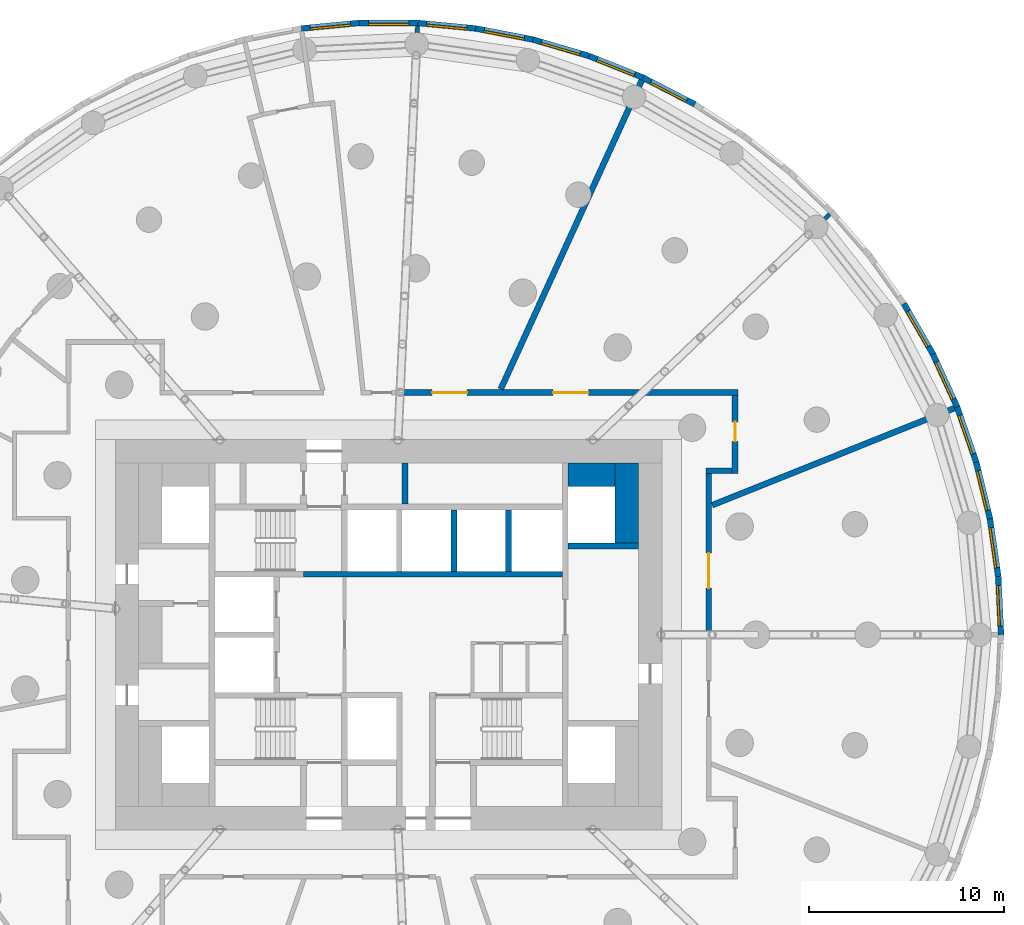
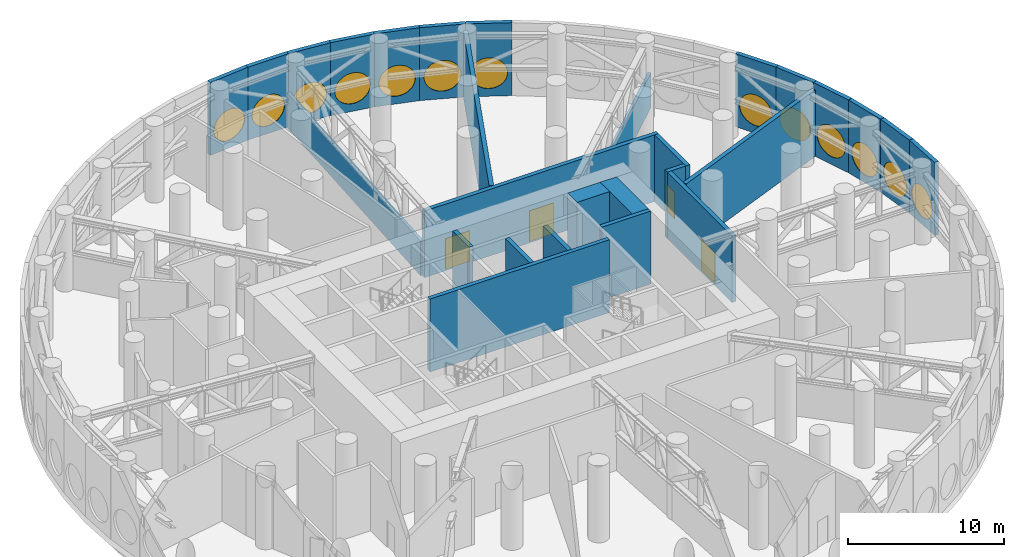
# One storey, part 14 of 17: 28 walls, 13 windows, 4 doors, 17 openings.
"""IFC4 building model written with IfcOpenShell, lengths in metres."""

from ifc_helpers import new_model, si_unit, direction, frame, frame_2d, origin, origin_2d, place, context, subcontext, project, spatial, rectangle, circle, extrude, material, layer, layer_set, type_object, element, fill, save


model = new_model("IFC4")

# Units and contexts
model_context = context("Model", 3, precision=1e-05, world=origin(), true_north=direction((0.0, 1.0)))
body_context = subcontext(model_context, "Body", "Model", "MODEL_VIEW")
ifc_project = project(units=[si_unit("LENGTHUNIT", "METRE"), si_unit("AREAUNIT", "SQUARE_METRE"), si_unit("VOLUMEUNIT", "CUBIC_METRE"), si_unit("PLANEANGLEUNIT", "RADIAN"), si_unit("MASSUNIT", "GRAM", prefix="KILO")], contexts=[model_context])

# Site, building, storey
site_placement = place(None, origin())
site = spatial("IfcSite", under=ifc_project, at=site_placement, CompositionType="ELEMENT")
building_placement = place(site_placement, origin())
building = spatial("IfcBuilding", under=site, at=building_placement, Name="Tracery Tower", CompositionType="ELEMENT")
storey_placement = place(building_placement, frame((0.0, 0.0, 120.0)))
storey = spatial("IfcBuildingStorey", under=building, at=storey_placement, Name="L30 Plant", CompositionType="ELEMENT", Elevation=120.0)

# Walls
ifc_material_1 = material(Name="Concrete C60/75", Category="concrete")
ifc_layer_1 = layer(ifc_material_1, 1.199951171875)
ifc_layer_set_1 = layer_set([ifc_layer_1], Name="Core strip wall 1200 C60")
wall_type_1 = type_object("IfcWallType", Name="Core strip wall 1200 C60", PredefinedType="SOLIDWALL", material=ifc_layer_set_1)
wall_1_placement = place(storey_placement, frame((12.199951171875, 4.699951171875, 0.0), z_axis=(0.0, 0.0, 1.0), x_axis=(0.0, 1.0, 0.0)))
element("IfcWall", 1, at=wall_1_placement, inside=storey, type_object=wall_type_1, Name="L30 Plant wing strip +1 4.55", PredefinedType="SOLIDWALL", context=body_context, shape_type="SweptSolid", body=[
    extrude(rectangle(XDim=4.10009765625, YDim=1.199951171875, at=frame_2d((2.050048828125, 0.0))), origin(), (0.0, 0.0, 1.0), 5.699951171875),
])
wall_2_placement = place(storey_placement, frame((9.199951171875, 8.199951171875, 0.0), z_axis=(0.0, 0.0, 1.0), x_axis=(1.0, 0.0, 0.0)))
element("IfcWall", 2, at=wall_2_placement, inside=storey, type_object=wall_type_1, Name="L30 Plant wing corner +1 +8.2", PredefinedType="SOLIDWALL", context=body_context, shape_type="SweptSolid", body=[
    extrude(rectangle(XDim=2.400146484375, YDim=1.199951171875, at=frame_2d((1.2001953125, 0.0))), origin(), (0.0, 0.0, 1.0), 5.699951171875),
])

# Wall, opening, window
ifc_material_2 = material(Name="Precast concrete C50/60", Category="concrete")
ifc_layer_2 = layer(ifc_material_2, 0.300048828125)
ifc_layer_set_2 = layer_set([ifc_layer_2], Name="Plant louvre panel 3000 x 5700")
wall_type_2 = type_object("IfcWallType", Name="Plant louvre panel 3000 x 5700", PredefinedType="SOLIDWALL", material=ifc_layer_set_2)
wall_3_placement = place(storey_placement, frame((31.37451171875, 0.0, 0.0), z_axis=(0.0, 0.0, 1.0), x_axis=(-0.047588458579, 0.998867027492, 0.0)))
wall_3 = element("IfcWall", 3, at=wall_3_placement, inside=storey, type_object=wall_type_2, Name="Plant louvre panel 1 at L30 Plant", PredefinedType="SOLIDWALL", context=body_context, shape_type="SweptSolid", body=[
    extrude(rectangle(XDim=2.98583984375, YDim=0.300048828125, at=frame_2d((1.492919921875, 0.0))), origin(), (0.0, 0.0, 1.0), 5.699951171875),
])
opening_1_placement = place(wall_3_placement, frame((1.492919921875, 0.0, 1.800048828125)))
opening_1 = element("IfcOpeningElement", 4, at=opening_1_placement, cuts=wall_3, Name="Opening LV1", PredefinedType="OPENING", context=body_context, shape_type="SweptSolid", body=[
    extrude(circle(Radius=1.199951171875, at=origin_2d()), frame((0.0, 0.159912109375, 0.0), z_axis=(0.0, -1.0, 0.0), x_axis=(1.0, 0.0, 0.0)), (0.0, 0.0, 1.0), 0.320068359375),
])
ifc_material_3 = material(Name="Aluminium louvre, bronze anodised", Category="aluminium")
window_type = type_object("IfcWindowType", Name="Louvred oculus 2400, sill 600", PartitioningType="SINGLE_PANEL", PredefinedType="WINDOW", material=ifc_material_3)
window_1_placement = place(opening_1_placement, origin())
window_1 = element("IfcWindow", 5, at=window_1_placement, inside=storey, type_object=window_type, Name="Louvred oculus 1 at L30 Plant", OverallHeight=2.39990234375, OverallWidth=2.39990234375, PartitioningType="SINGLE_PANEL", PredefinedType="WINDOW", context=body_context, shape_type="SweptSolid", body=[
    extrude(circle(Radius=1.199951171875, at=origin_2d()), frame((0.0, 0.1201171875, 0.0), z_axis=(0.0, -1.0, 0.0), x_axis=(1.0, 0.0, 0.0)), (0.0, 0.0, 1.0), 0.10009765625),
])
fill(opening_1, window_1)

wall_4_placement = place(storey_placement, frame((31.232421875, 2.982421875, 0.0), z_axis=(0.0, 0.0, 1.0), x_axis=(-0.142360001917, 0.989814947278, 0.0)))
wall_4 = element("IfcWall", 6, at=wall_4_placement, inside=storey, type_object=wall_type_2, Name="Plant louvre panel 2 at L30 Plant", PredefinedType="SOLIDWALL", context=body_context, shape_type="SweptSolid", body=[
    extrude(rectangle(XDim=2.98583984375, YDim=0.300048828125, at=frame_2d((1.492919921875, 0.0))), origin(), (0.0, 0.0, 1.0), 5.699951171875),
])
opening_2_placement = place(wall_4_placement, frame((1.492919921875, 0.0, 1.800048828125)))
opening_2 = element("IfcOpeningElement", 7, at=opening_2_placement, cuts=wall_4, Name="Opening LV1", PredefinedType="OPENING", context=body_context, shape_type="SweptSolid", body=[
    extrude(circle(Radius=1.199951171875, at=origin_2d()), frame((0.0, 0.159912109375, 0.0), z_axis=(0.0, -1.0, 0.0), x_axis=(1.0, 0.0, 0.0)), (0.0, 0.0, 1.0), 0.320068359375),
])
window_2_placement = place(opening_2_placement, origin())
window_2 = element("IfcWindow", 8, at=window_2_placement, inside=storey, type_object=window_type, Name="Louvred oculus 2 at L30 Plant", OverallHeight=2.39990234375, OverallWidth=2.39990234375, PartitioningType="SINGLE_PANEL", PredefinedType="WINDOW", context=body_context, shape_type="SweptSolid", body=[
    extrude(circle(Radius=1.199951171875, at=origin_2d()), frame((0.0, 0.1201171875, 0.0), z_axis=(0.0, -1.0, 0.0), x_axis=(1.0, 0.0, 0.0)), (0.0, 0.0, 1.0), 0.10009765625),
])
fill(opening_2, window_2)

wall_5_placement = place(storey_placement, frame((30.807373046875, 5.937744140625, 0.0), z_axis=(0.0, 0.0, 1.0), x_axis=(-0.235756834479, 0.971812078026, 0.0)))
wall_5 = element("IfcWall", 9, at=wall_5_placement, inside=storey, type_object=wall_type_2, Name="Plant louvre panel 3 at L30 Plant", PredefinedType="SOLIDWALL", context=body_context, shape_type="SweptSolid", body=[
    extrude(rectangle(XDim=2.985595703125, YDim=0.300048828125, at=frame_2d((1.49267578125, 0.0))), origin(), (0.0, 0.0, 1.0), 5.699951171875),
])
opening_3_placement = place(wall_5_placement, frame((1.492919921875, 0.0, 1.800048828125)))
opening_3 = element("IfcOpeningElement", 10, at=opening_3_placement, cuts=wall_5, Name="Opening LV1", PredefinedType="OPENING", context=body_context, shape_type="SweptSolid", body=[
    extrude(circle(Radius=1.199951171875, at=origin_2d()), frame((0.0, 0.159912109375, 0.0), z_axis=(0.0, -1.0, 0.0), x_axis=(1.0, 0.0, 0.0)), (0.0, 0.0, 1.0), 0.320068359375),
])
window_3_placement = place(opening_3_placement, origin())
window_3 = element("IfcWindow", 11, at=window_3_placement, inside=storey, type_object=window_type, Name="Louvred oculus 3 at L30 Plant", OverallHeight=2.39990234375, OverallWidth=2.39990234375, PartitioningType="SINGLE_PANEL", PredefinedType="WINDOW", context=body_context, shape_type="SweptSolid", body=[
    extrude(circle(Radius=1.199951171875, at=origin_2d()), frame((0.0, 0.1201171875, 0.0), z_axis=(0.0, -1.0, 0.0), x_axis=(1.0, 0.0, 0.0)), (0.0, 0.0, 1.0), 0.10009765625),
])
fill(opening_3, window_3)

wall_6_placement = place(storey_placement, frame((30.103515625, 8.839111328125, 0.0), z_axis=(0.0, 0.0, 1.0), x_axis=(-0.327074054052, 0.944998710669, 0.0)))
wall_6 = element("IfcWall", 12, at=wall_6_placement, inside=storey, type_object=wall_type_2, Name="Plant louvre panel 4 at L30 Plant", PredefinedType="SOLIDWALL", context=body_context, shape_type="SweptSolid", body=[
    extrude(rectangle(XDim=2.98583984375, YDim=0.300048828125, at=frame_2d((1.492919921875, 0.0))), origin(), (0.0, 0.0, 1.0), 5.699951171875),
])
opening_4_placement = place(wall_6_placement, frame((1.492919921875, 0.0, 1.800048828125)))
opening_4 = element("IfcOpeningElement", 13, at=opening_4_placement, cuts=wall_6, Name="Opening LV1", PredefinedType="OPENING", context=body_context, shape_type="SweptSolid", body=[
    extrude(circle(Radius=1.199951171875, at=origin_2d()), frame((0.0, 0.159912109375, 0.0), z_axis=(0.0, -1.0, 0.0), x_axis=(1.0, 0.0, 0.0)), (0.0, 0.0, 1.0), 0.320068359375),
])
window_4_placement = place(opening_4_placement, origin())
window_4 = element("IfcWindow", 14, at=window_4_placement, inside=storey, type_object=window_type, Name="Louvred oculus 4 at L30 Plant", OverallHeight=2.39990234375, OverallWidth=2.39990234375, PartitioningType="SINGLE_PANEL", PredefinedType="WINDOW", context=body_context, shape_type="SweptSolid", body=[
    extrude(circle(Radius=1.199951171875, at=origin_2d()), frame((0.0, 0.1201171875, 0.0), z_axis=(0.0, -1.0, 0.0), x_axis=(1.0, 0.0, 0.0)), (0.0, 0.0, 1.0), 0.10009765625),
])
fill(opening_4, window_4)

wall_7_placement = place(storey_placement, frame((29.126953125, 11.66064453125, 0.0), z_axis=(0.0, 0.0, 1.0), x_axis=(-0.415373250944, 0.909651066289, 0.0)))
wall_7 = element("IfcWall", 15, at=wall_7_placement, inside=storey, type_object=wall_type_2, Name="Plant louvre panel 5 at L30 Plant", PredefinedType="SOLIDWALL", context=body_context, shape_type="SweptSolid", body=[
    extrude(rectangle(XDim=2.98583984375, YDim=0.300048828125, at=frame_2d((1.492919921875, 0.0))), origin(), (0.0, 0.0, 1.0), 5.699951171875),
])
opening_5_placement = place(wall_7_placement, frame((1.492919921875, 0.0, 1.800048828125)))
opening_5 = element("IfcOpeningElement", 16, at=opening_5_placement, cuts=wall_7, Name="Opening LV1", PredefinedType="OPENING", context=body_context, shape_type="SweptSolid", body=[
    extrude(circle(Radius=1.199951171875, at=origin_2d()), frame((0.0, 0.159912109375, 0.0), z_axis=(0.0, -1.0, 0.0), x_axis=(1.0, 0.0, 0.0)), (0.0, 0.0, 1.0), 0.320068359375),
])
window_5_placement = place(opening_5_placement, origin())
window_5 = element("IfcWindow", 17, at=window_5_placement, inside=storey, type_object=window_type, Name="Louvred oculus 5 at L30 Plant", OverallHeight=2.39990234375, OverallWidth=2.39990234375, PartitioningType="SINGLE_PANEL", PredefinedType="WINDOW", context=body_context, shape_type="SweptSolid", body=[
    extrude(circle(Radius=1.199951171875, at=origin_2d()), frame((0.0, 0.1201171875, 0.0), z_axis=(0.0, -1.0, 0.0), x_axis=(1.0, 0.0, 0.0)), (0.0, 0.0, 1.0), 0.10009765625),
])
fill(opening_5, window_5)

wall_8_placement = place(storey_placement, frame((27.88671875, 14.376708984375, 0.0), z_axis=(0.0, 0.0, 1.0), x_axis=(-0.500017373705, 0.866015372839, 0.0)))
wall_8 = element("IfcWall", 18, at=wall_8_placement, inside=storey, type_object=wall_type_2, Name="Plant louvre panel 6 at L30 Plant", PredefinedType="SOLIDWALL", context=body_context, shape_type="SweptSolid", body=[
    extrude(rectangle(XDim=2.98583984375, YDim=0.300048828125, at=frame_2d((1.492919921875, 0.0))), origin(), (0.0, 0.0, 1.0), 5.699951171875),
])
opening_6_placement = place(wall_8_placement, frame((1.492919921875, 0.0, 1.800048828125)))
opening_6 = element("IfcOpeningElement", 19, at=opening_6_placement, cuts=wall_8, Name="Opening LV1", PredefinedType="OPENING", context=body_context, shape_type="SweptSolid", body=[
    extrude(circle(Radius=1.199951171875, at=origin_2d()), frame((0.0, 0.159912109375, 0.0), z_axis=(0.0, -1.0, 0.0), x_axis=(1.0, 0.0, 0.0)), (0.0, 0.0, 1.0), 0.320068359375),
])
window_6_placement = place(opening_6_placement, origin())
window_6 = element("IfcWindow", 20, at=window_6_placement, inside=storey, type_object=window_type, Name="Louvred oculus 6 at L30 Plant", OverallHeight=2.39990234375, OverallWidth=2.39990234375, PartitioningType="SINGLE_PANEL", PredefinedType="WINDOW", context=body_context, shape_type="SweptSolid", body=[
    extrude(circle(Radius=1.199951171875, at=origin_2d()), frame((0.0, 0.1201171875, 0.0), z_axis=(0.0, -1.0, 0.0), x_axis=(1.0, 0.0, 0.0)), (0.0, 0.0, 1.0), 0.10009765625),
])
fill(opening_6, window_6)

wall_9_placement = place(storey_placement, frame((15.687255859375, 27.171142578125, 0.0), z_axis=(0.0, 0.0, 1.0), x_axis=(-0.888831268481, 0.458234630043, 0.0)))
wall_9 = element("IfcWall", 21, at=wall_9_placement, inside=storey, type_object=wall_type_2, Name="Plant louvre panel 12 at L30 Plant", PredefinedType="SOLIDWALL", context=body_context, shape_type="SweptSolid", body=[
    extrude(rectangle(XDim=2.98583984375, YDim=0.300048828125, at=frame_2d((1.492919921875, 0.0))), origin(), (0.0, 0.0, 1.0), 5.699951171875),
])
opening_7_placement = place(wall_9_placement, frame((1.492919921875, 0.0, 1.800048828125)))
opening_7 = element("IfcOpeningElement", 22, at=opening_7_placement, cuts=wall_9, Name="Opening LV1", PredefinedType="OPENING", context=body_context, shape_type="SweptSolid", body=[
    extrude(circle(Radius=1.199951171875, at=origin_2d()), frame((0.0, 0.159912109375, 0.0), z_axis=(0.0, -1.0, 0.0), x_axis=(1.0, 0.0, 0.0)), (0.0, 0.0, 1.0), 0.320068359375),
])
window_7_placement = place(opening_7_placement, origin())
window_7 = element("IfcWindow", 23, at=window_7_placement, inside=storey, type_object=window_type, Name="Louvred oculus 12 at L30 Plant", OverallHeight=2.39990234375, OverallWidth=2.39990234375, PartitioningType="SINGLE_PANEL", PredefinedType="WINDOW", context=body_context, shape_type="SweptSolid", body=[
    extrude(circle(Radius=1.199951171875, at=origin_2d()), frame((0.0, 0.1201171875, 0.0), z_axis=(0.0, -1.0, 0.0), x_axis=(1.0, 0.0, 0.0)), (0.0, 0.0, 1.0), 0.10009765625),
])
fill(opening_7, window_7)

wall_10_placement = place(storey_placement, frame((13.033447265625, 28.539306640625, 0.0), z_axis=(0.0, 0.0, 1.0), x_axis=(-0.928380795373, 0.371630325434, 0.0)))
wall_10 = element("IfcWall", 24, at=wall_10_placement, inside=storey, type_object=wall_type_2, Name="Plant louvre panel 13 at L30 Plant", PredefinedType="SOLIDWALL", context=body_context, shape_type="SweptSolid", body=[
    extrude(rectangle(XDim=2.98583984375, YDim=0.300048828125, at=frame_2d((1.492919921875, 0.0))), origin(), (0.0, 0.0, 1.0), 5.699951171875),
])
opening_8_placement = place(wall_10_placement, frame((1.492919921875, 0.0, 1.800048828125)))
opening_8 = element("IfcOpeningElement", 25, at=opening_8_placement, cuts=wall_10, Name="Opening LV1", PredefinedType="OPENING", context=body_context, shape_type="SweptSolid", body=[
    extrude(circle(Radius=1.199951171875, at=origin_2d()), frame((0.0, 0.159912109375, 0.0), z_axis=(0.0, -1.0, 0.0), x_axis=(1.0, 0.0, 0.0)), (0.0, 0.0, 1.0), 0.320068359375),
])
window_8_placement = place(opening_8_placement, origin())
window_8 = element("IfcWindow", 26, at=window_8_placement, inside=storey, type_object=window_type, Name="Louvred oculus 13 at L30 Plant", OverallHeight=2.39990234375, OverallWidth=2.39990234375, PartitioningType="SINGLE_PANEL", PredefinedType="WINDOW", context=body_context, shape_type="SweptSolid", body=[
    extrude(circle(Radius=1.199951171875, at=origin_2d()), frame((0.0, 0.1201171875, 0.0), z_axis=(0.0, -1.0, 0.0), x_axis=(1.0, 0.0, 0.0)), (0.0, 0.0, 1.0), 0.10009765625),
])
fill(opening_8, window_8)

wall_11_placement = place(storey_placement, frame((10.261474609375, 29.64892578125, 0.0), z_axis=(0.0, 0.0, 1.0), x_axis=(-0.959502108153, 0.281701445593, 0.0)))
wall_11 = element("IfcWall", 27, at=wall_11_placement, inside=storey, type_object=wall_type_2, Name="Plant louvre panel 14 at L30 Plant", PredefinedType="SOLIDWALL", context=body_context, shape_type="SweptSolid", body=[
    extrude(rectangle(XDim=2.985595703125, YDim=0.300048828125, at=frame_2d((1.49267578125, 0.0))), origin(), (0.0, 0.0, 1.0), 5.699951171875),
])
opening_9_placement = place(wall_11_placement, frame((1.492919921875, 0.0, 1.800048828125)))
opening_9 = element("IfcOpeningElement", 28, at=opening_9_placement, cuts=wall_11, Name="Opening LV1", PredefinedType="OPENING", context=body_context, shape_type="SweptSolid", body=[
    extrude(circle(Radius=1.199951171875, at=origin_2d()), frame((0.0, 0.159912109375, 0.0), z_axis=(0.0, -1.0, 0.0), x_axis=(1.0, 0.0, 0.0)), (0.0, 0.0, 1.0), 0.320068359375),
])
window_9_placement = place(opening_9_placement, origin())
window_9 = element("IfcWindow", 29, at=window_9_placement, inside=storey, type_object=window_type, Name="Louvred oculus 14 at L30 Plant", OverallHeight=2.39990234375, OverallWidth=2.39990234375, PartitioningType="SINGLE_PANEL", PredefinedType="WINDOW", context=body_context, shape_type="SweptSolid", body=[
    extrude(circle(Radius=1.199951171875, at=origin_2d()), frame((0.0, 0.1201171875, 0.0), z_axis=(0.0, -1.0, 0.0), x_axis=(1.0, 0.0, 0.0)), (0.0, 0.0, 1.0), 0.10009765625),
])
fill(opening_9, window_9)

wall_12_placement = place(storey_placement, frame((7.396728515625, 30.489990234375, 0.0), z_axis=(0.0, 0.0, 1.0), x_axis=(-0.981918853666, 0.189302310646, 0.0)))
wall_12 = element("IfcWall", 30, at=wall_12_placement, inside=storey, type_object=wall_type_2, Name="Plant louvre panel 15 at L30 Plant", PredefinedType="SOLIDWALL", context=body_context, shape_type="SweptSolid", body=[
    extrude(rectangle(XDim=2.985595703125, YDim=0.300048828125, at=frame_2d((1.49267578125, 0.0))), origin(), (0.0, 0.0, 1.0), 5.699951171875),
])
opening_10_placement = place(wall_12_placement, frame((1.492919921875, 0.0, 1.800048828125)))
opening_10 = element("IfcOpeningElement", 31, at=opening_10_placement, cuts=wall_12, Name="Opening LV1", PredefinedType="OPENING", context=body_context, shape_type="SweptSolid", body=[
    extrude(circle(Radius=1.199951171875, at=origin_2d()), frame((0.0, 0.159912109375, 0.0), z_axis=(0.0, -1.0, 0.0), x_axis=(1.0, 0.0, 0.0)), (0.0, 0.0, 1.0), 0.320068359375),
])
window_10_placement = place(opening_10_placement, origin())
window_10 = element("IfcWindow", 32, at=window_10_placement, inside=storey, type_object=window_type, Name="Louvred oculus 15 at L30 Plant", OverallHeight=2.39990234375, OverallWidth=2.39990234375, PartitioningType="SINGLE_PANEL", PredefinedType="WINDOW", context=body_context, shape_type="SweptSolid", body=[
    extrude(circle(Radius=1.199951171875, at=origin_2d()), frame((0.0, 0.1201171875, 0.0), z_axis=(0.0, -1.0, 0.0), x_axis=(1.0, 0.0, 0.0)), (0.0, 0.0, 1.0), 0.10009765625),
])
fill(opening_10, window_10)

wall_13_placement = place(storey_placement, frame((4.465087890625, 31.05517578125, 0.0), z_axis=(0.0, 0.0, 1.0), x_axis=(-0.99547560533, 0.095017467833, 0.0)))
wall_13 = element("IfcWall", 33, at=wall_13_placement, inside=storey, type_object=wall_type_2, Name="Plant louvre panel 16 at L30 Plant", PredefinedType="SOLIDWALL", context=body_context, shape_type="SweptSolid", body=[
    extrude(rectangle(XDim=2.985595703125, YDim=0.300048828125, at=frame_2d((1.49267578125, 0.0))), origin(), (0.0, 0.0, 1.0), 5.699951171875),
])
opening_11_placement = place(wall_13_placement, frame((1.492919921875, 0.0, 1.800048828125)))
opening_11 = element("IfcOpeningElement", 34, at=opening_11_placement, cuts=wall_13, Name="Opening LV1", PredefinedType="OPENING", context=body_context, shape_type="SweptSolid", body=[
    extrude(circle(Radius=1.199951171875, at=origin_2d()), frame((0.0, 0.159912109375, 0.0), z_axis=(0.0, -1.0, 0.0), x_axis=(1.0, 0.0, 0.0)), (0.0, 0.0, 1.0), 0.320068359375),
])
window_11_placement = place(opening_11_placement, origin())
window_11 = element("IfcWindow", 35, at=window_11_placement, inside=storey, type_object=window_type, Name="Louvred oculus 16 at L30 Plant", OverallHeight=2.39990234375, OverallWidth=2.39990234375, PartitioningType="SINGLE_PANEL", PredefinedType="WINDOW", context=body_context, shape_type="SweptSolid", body=[
    extrude(circle(Radius=1.199951171875, at=origin_2d()), frame((0.0, 0.1201171875, 0.0), z_axis=(0.0, -1.0, 0.0), x_axis=(1.0, 0.0, 0.0)), (0.0, 0.0, 1.0), 0.10009765625),
])
fill(opening_11, window_11)

wall_14_placement = place(storey_placement, frame((1.492919921875, 31.3388671875, 0.0), z_axis=(0.0, 0.0, 1.0), x_axis=(-1.0, 0.0, 0.0)))
wall_14 = element("IfcWall", 36, at=wall_14_placement, inside=storey, type_object=wall_type_2, Name="Plant louvre panel 17 at L30 Plant", PredefinedType="SOLIDWALL", context=body_context, shape_type="SweptSolid", body=[
    extrude(rectangle(XDim=2.98583984375, YDim=0.300048828125, at=frame_2d((1.492919921875, 0.0))), origin(), (0.0, 0.0, 1.0), 5.699951171875),
])
opening_12_placement = place(wall_14_placement, frame((1.492919921875, 0.0, 1.800048828125)))
opening_12 = element("IfcOpeningElement", 37, at=opening_12_placement, cuts=wall_14, Name="Opening LV1", PredefinedType="OPENING", context=body_context, shape_type="SweptSolid", body=[
    extrude(circle(Radius=1.199951171875, at=origin_2d()), frame((0.0, 0.159912109375, 0.0), z_axis=(0.0, -1.0, 0.0), x_axis=(1.0, 0.0, 0.0)), (0.0, 0.0, 1.0), 0.320068359375),
])
window_12_placement = place(opening_12_placement, origin())
window_12 = element("IfcWindow", 38, at=window_12_placement, inside=storey, type_object=window_type, Name="Louvred oculus 17 at L30 Plant", OverallHeight=2.39990234375, OverallWidth=2.39990234375, PartitioningType="SINGLE_PANEL", PredefinedType="WINDOW", context=body_context, shape_type="SweptSolid", body=[
    extrude(circle(Radius=1.199951171875, at=origin_2d()), frame((0.0, 0.1201171875, 0.0), z_axis=(0.0, -1.0, 0.0), x_axis=(1.0, 0.0, 0.0)), (0.0, 0.0, 1.0), 0.10009765625),
])
fill(opening_12, window_12)

wall_15_placement = place(storey_placement, frame((-1.492919921875, 31.3388671875, 0.0), z_axis=(0.0, 0.0, 1.0), x_axis=(-0.99547560533, -0.095017467833, 0.0)))
wall_15 = element("IfcWall", 39, at=wall_15_placement, inside=storey, type_object=wall_type_2, Name="Plant louvre panel 18 at L30 Plant", PredefinedType="SOLIDWALL", context=body_context, shape_type="SweptSolid", body=[
    extrude(rectangle(XDim=2.985595703125, YDim=0.300048828125, at=frame_2d((1.49267578125, 0.0))), origin(), (0.0, 0.0, 1.0), 5.699951171875),
])
opening_13_placement = place(wall_15_placement, frame((1.492919921875, 0.0, 1.800048828125)))
opening_13 = element("IfcOpeningElement", 40, at=opening_13_placement, cuts=wall_15, Name="Opening LV1", PredefinedType="OPENING", context=body_context, shape_type="SweptSolid", body=[
    extrude(circle(Radius=1.199951171875, at=origin_2d()), frame((0.0, 0.159912109375, 0.0), z_axis=(0.0, -1.0, 0.0), x_axis=(1.0, 0.0, 0.0)), (0.0, 0.0, 1.0), 0.320068359375),
])
window_13_placement = place(opening_13_placement, origin())
window_13 = element("IfcWindow", 41, at=window_13_placement, inside=storey, type_object=window_type, Name="Louvred oculus 18 at L30 Plant", OverallHeight=2.39990234375, OverallWidth=2.39990234375, PartitioningType="SINGLE_PANEL", PredefinedType="WINDOW", context=body_context, shape_type="SweptSolid", body=[
    extrude(circle(Radius=1.199951171875, at=origin_2d()), frame((0.0, 0.1201171875, 0.0), z_axis=(0.0, -1.0, 0.0), x_axis=(1.0, 0.0, 0.0)), (0.0, 0.0, 1.0), 0.10009765625),
])
fill(opening_13, window_13)

# Walls
ifc_material_4 = material(Name="Concrete blockwork", Category="masonry")
ifc_layer_3 = layer(ifc_material_4, 0.22509765625)
ifc_layer_set_3 = layer_set([ifc_layer_3], Name="Plant wall under outrigger truss 225")
wall_type_3 = type_object("IfcWallType", Name="Plant wall under outrigger truss 225", PredefinedType="PARTITIONING", material=ifc_layer_set_3)
wall_16_placement = place(storey_placement, frame((1.485595703125, 31.18896484375, 0.0), z_axis=(0.0, 0.0, 1.0), x_axis=(-0.047571987226, -0.998867812091, 0.0)))
element("IfcWall", 42, at=wall_16_placement, inside=storey, type_object=wall_type_3, Name="Plant wall under outrigger truss 225", PredefinedType="PARTITIONING", context=body_context, shape_type="SweptSolid", body=[
    extrude(rectangle(XDim=18.66015625, YDim=0.22509765625, at=frame_2d((9.330078125, 0.0))), origin(), (0.0, 0.0, 1.0), 2.699951171875),
])
wall_17_placement = place(storey_placement, frame((22.59814453125, 21.547119140625, 0.0), z_axis=(0.0, 0.0, 1.0), x_axis=(-0.723750872009, -0.690061356161, 0.0)))
element("IfcWall", 43, at=wall_17_placement, inside=storey, type_object=wall_type_3, Name="Plant wall under outrigger truss 225", PredefinedType="PARTITIONING", context=body_context, shape_type="SweptSolid", body=[
    extrude(rectangle(XDim=12.97900390625, YDim=0.22509765625, at=frame_2d((6.489501953125, 0.0))), origin(), (0.0, 0.0, 1.0), 2.699951171875),
])
ifc_material_5 = material(Name="Concrete C60/75", Category="concrete")
ifc_layer_4 = layer(ifc_material_5, 0.300048828125)
ifc_layer_set_4 = layer_set([ifc_layer_4], Name="Shaft wall 300 C60")
wall_type_4 = type_object("IfcWallType", Name="Shaft wall 300 C60", PredefinedType="SOLIDWALL", material=ifc_layer_set_4)
for number, where, z_axis, x_axis, name in (
    (44, (3.35009765625, 3.25, 0.0), (0.0, 0.0, 1.0), (0.0, 1.0, 0.0), "L30 Plant HR sep 2"),
    (45, (6.14990234375, 3.25, 0.0), (0.0, 0.0, 1.0), (0.0, 1.0, 0.0), "L30 Plant HR sep 3"),
):
    element("IfcWall", number, at=place(storey_placement, frame(where, z_axis=z_axis, x_axis=x_axis)), inside=storey, type_object=wall_type_4, Name=name, PredefinedType="SOLIDWALL", context=body_context, shape_type="SweptSolid", body=[
        extrude(rectangle(XDim=3.14990234375, YDim=0.300048828125, at=frame_2d((1.574951171875, 0.0))), origin(), (0.0, 0.0, 1.0), 5.699951171875),
    ])
wall_18_placement = place(storey_placement, frame((0.85009765625, 6.699951171875, 0.0), z_axis=(0.0, 0.0, 1.0), x_axis=(0.0, 1.0, 0.0)))
element("IfcWall", 46, at=wall_18_placement, inside=storey, type_object=wall_type_4, Name="L30 Plant LR sep 0.85", PredefinedType="SOLIDWALL", context=body_context, shape_type="SweptSolid", body=[
    extrude(rectangle(XDim=2.10009765625, YDim=0.300048828125, at=frame_2d((1.050048828125, 0.0))), origin(), (0.0, 0.0, 1.0), 5.699951171875),
])
wall_19_placement = place(storey_placement, frame((9.199951171875, 4.550048828125, 0.0), z_axis=(0.0, 0.0, 1.0), x_axis=(1.0, 0.0, 0.0)))
element("IfcWall", 47, at=wall_19_placement, inside=storey, type_object=wall_type_4, Name="L30 Plant wing shaft wall +1 +4.55", PredefinedType="SOLIDWALL", context=body_context, shape_type="SweptSolid", body=[
    extrude(rectangle(XDim=3.60009765625, YDim=0.300048828125, at=frame_2d((1.800048828125, 0.0))), origin(), (0.0, 0.0, 1.0), 5.699951171875),
])
ifc_material_6 = material(Name="Concrete C60/75", Category="concrete")
ifc_layer_5 = layer(ifc_material_6, 0.300048828125)
ifc_layer_set_5 = layer_set([ifc_layer_5], Name="Stair wall 300 C60")
wall_type_5 = type_object("IfcWallType", Name="Stair wall 300 C60", PredefinedType="SOLIDWALL", material=ifc_layer_set_5)
wall_20_placement = place(storey_placement, frame((-4.35009765625, 3.10009765625, 0.0), z_axis=(0.0, 0.0, 1.0), x_axis=(1.0, 0.0, 0.0)))
element("IfcWall", 48, at=wall_20_placement, inside=storey, type_object=wall_type_5, Name="L30 Plant row N", PredefinedType="SOLIDWALL", context=body_context, shape_type="SweptSolid", body=[
    extrude(rectangle(XDim=13.25, YDim=0.300048828125, at=frame_2d((6.625, 0.0))), origin(), (0.0, 0.0, 1.0), 5.699951171875),
])
ifc_material_7 = material(Name="Concrete blockwork", Category="masonry")
ifc_layer_6 = layer(ifc_material_7, 0.300048828125)
ifc_layer_set_6 = layer_set([ifc_layer_6], Name="Transformer room block wall 300")
wall_type_6 = type_object("IfcWallType", Name="Transformer room block wall 300", PredefinedType="PARTITIONING", material=ifc_layer_set_6)
wall_21_placement = place(storey_placement, frame((12.970947265625, 28.402587890625, 0.0), z_axis=(0.0, 0.0, 1.0), x_axis=(-0.415415069181, -0.909631969698, 0.0)))
element("IfcWall", 49, at=wall_21_placement, inside=storey, type_object=wall_type_6, Name="Transformer room block wall 300", PredefinedType="PARTITIONING", context=body_context, shape_type="SweptSolid", body=[
    extrude(rectangle(XDim=17.39306640625, YDim=0.300048828125, at=frame_2d((8.696533203125, 0.0))), origin(), (0.0, 0.0, 1.0), 5.199951171875),
])

# Wall, opening, door
wall_22_placement = place(storey_placement, frame((16.39990234375, 0.0, 0.0), z_axis=(0.0, 0.0, 1.0), x_axis=(0.0, 1.0, 0.0)))
wall_22 = element("IfcWall", 50, at=wall_22_placement, inside=storey, type_object=wall_type_6, Name="Transformer room block wall 300", PredefinedType="PARTITIONING", context=body_context, shape_type="SweptSolid", body=[
    extrude(rectangle(XDim=8.2529296875, YDim=0.300048828125, at=frame_2d((4.12646484375, 0.0))), origin(), (0.0, 0.0, 1.0), 5.199951171875),
])
opening_14_placement = place(wall_22_placement, frame((2.3828125, 0.0, 0.0)))
opening_14 = element("IfcOpeningElement", 51, at=opening_14_placement, cuts=wall_22, Name="Opening SB-P30-01", PredefinedType="OPENING", context=body_context, shape_type="SweptSolid", body=[
    extrude(rectangle(XDim=1.800048828125, YDim=2.39990234375, at=frame_2d((0.89990234375, 1.199951171875))), frame((0.0, 0.14990234375, 0.0), z_axis=(0.0, -1.0, 0.0), x_axis=(1.0, 0.0, 0.0)), (0.0, 0.0, 1.0), 0.300048828125),
])
ifc_material_8 = material(Name="Steel fire door", Category="steel")
door_type_1 = type_object("IfcDoorType", Name="Plant room double door 1800", OperationType="DOUBLE_DOOR_SINGLE_SWING", PredefinedType="DOOR", material=ifc_material_8)
door_1_placement = place(opening_14_placement, origin())
door_1 = element("IfcDoor", 52, at=door_1_placement, inside=storey, type_object=door_type_1, Name="Plant room double door 1800", OperationType="DOUBLE_DOOR_SINGLE_SWING", OverallHeight=2.39990234375, OverallWidth=1.800048828125, PredefinedType="DOOR", context=body_context, shape_type="SweptSolid", body=[
    extrude(rectangle(XDim=1.800048828125, YDim=2.39990234375, at=frame_2d((0.89990234375, 1.199951171875))), frame((0.0, 0.02490234375, 0.0), z_axis=(0.0, -1.0, 0.0), x_axis=(1.0, 0.0, 0.0)), (0.0, 0.0, 1.0), 0.050048828125),
])
fill(opening_14, door_1)

# Wall
wall_23_placement = place(storey_placement, frame((16.25, 8.40283203125, 0.0), z_axis=(0.0, 0.0, 1.0), x_axis=(1.0, 0.0, 0.0)))
element("IfcWall", 53, at=wall_23_placement, inside=storey, type_object=wall_type_6, Name="Transformer room block wall 300", PredefinedType="PARTITIONING", context=body_context, shape_type="SweptSolid", body=[
    extrude(rectangle(XDim=1.3515625, YDim=0.300048828125, at=frame_2d((0.67578125, 0.0))), origin(), (0.0, 0.0, 1.0), 5.199951171875),
])

# Wall, opening, door
wall_24_placement = place(storey_placement, frame((17.751708984375, 8.2529296875, 0.0), z_axis=(0.0, 0.0, 1.0), x_axis=(0.0, 1.0, 0.0)))
wall_24 = element("IfcWall", 54, at=wall_24_placement, inside=storey, type_object=wall_type_6, Name="Transformer room block wall 300", PredefinedType="PARTITIONING", context=body_context, shape_type="SweptSolid", body=[
    extrude(rectangle(XDim=3.9970703125, YDim=0.300048828125, at=frame_2d((1.99853515625, 0.0))), origin(), (0.0, 0.0, 1.0), 5.199951171875),
])
opening_15_placement = place(wall_24_placement, frame((1.648681640625, 0.0, 0.0)))
opening_15 = element("IfcOpeningElement", 55, at=opening_15_placement, cuts=wall_24, Name="Opening SB-P30-02", PredefinedType="OPENING", context=body_context, shape_type="SweptSolid", body=[
    extrude(rectangle(XDim=1.0, YDim=2.10009765625, at=frame_2d((0.5, 1.050048828125))), frame((0.0, 0.14990234375, 0.0), z_axis=(0.0, -1.0, 0.0), x_axis=(1.0, 0.0, 0.0)), (0.0, 0.0, 1.0), 0.300048828125),
])
ifc_material_9 = material(Name="Steel fire door", Category="steel")
door_type_2 = type_object("IfcDoorType", Name="Plant room door 1000", OperationType="NOTDEFINED", PredefinedType="DOOR", material=ifc_material_9)
door_2_placement = place(opening_15_placement, origin())
door_2 = element("IfcDoor", 56, at=door_2_placement, inside=storey, type_object=door_type_2, Name="Plant room door 1000", OperationType="SINGLE_SWING_LEFT", OverallHeight=2.10009765625, OverallWidth=1.0, PredefinedType="DOOR", context=body_context, shape_type="SweptSolid", body=[
    extrude(rectangle(XDim=1.0, YDim=2.10009765625, at=frame_2d((0.5, 1.050048828125))), frame((0.0, 0.02490234375, 0.0), z_axis=(0.0, -1.0, 0.0), x_axis=(1.0, 0.0, 0.0)), (0.0, 0.0, 1.0), 0.050048828125),
])
fill(opening_15, door_2)

# Wall, openings, doors
wall_25_placement = place(storey_placement, frame((17.901611328125, 12.39990234375, 0.0), z_axis=(0.0, 0.0, 1.0), x_axis=(-1.0, 0.0, 0.0)))
wall_25 = element("IfcWall", 57, at=wall_25_placement, inside=storey, type_object=wall_type_6, Name="Transformer room block wall 300", PredefinedType="PARTITIONING", context=body_context, shape_type="SweptSolid", body=[
    extrude(rectangle(XDim=17.310791015625, YDim=0.300048828125, at=frame_2d((8.6552734375, 0.0))), origin(), (0.0, 0.0, 1.0), 5.199951171875),
])
opening_16_placement = place(wall_25_placement, frame((7.667724609375, 0.0, 0.0)))
opening_16 = element("IfcOpeningElement", 58, at=opening_16_placement, cuts=wall_25, Name="Opening SB-P30-03", PredefinedType="OPENING", context=body_context, shape_type="SweptSolid", body=[
    extrude(rectangle(XDim=1.800048828125, YDim=2.39990234375, at=frame_2d((0.89990234375, 1.199951171875))), frame((0.0, 0.14990234375, 0.0), z_axis=(0.0, -1.0, 0.0), x_axis=(1.0, 0.0, 0.0)), (0.0, 0.0, 1.0), 0.300048828125),
])
opening_17_placement = place(wall_25_placement, frame((13.874755859375, 0.0, 0.0)))
opening_17 = element("IfcOpeningElement", 59, at=opening_17_placement, cuts=wall_25, Name="Opening SB-P30-04", PredefinedType="OPENING", context=body_context, shape_type="SweptSolid", body=[
    extrude(rectangle(XDim=1.800048828125, YDim=2.39990234375, at=frame_2d((0.89990234375, 1.199951171875))), frame((0.0, 0.14990234375, 0.0), z_axis=(0.0, -1.0, 0.0), x_axis=(1.0, 0.0, 0.0)), (0.0, 0.0, 1.0), 0.300048828125),
])
door_3_placement = place(opening_16_placement, origin())
door_3 = element("IfcDoor", 60, at=door_3_placement, inside=storey, type_object=door_type_1, Name="Plant room double door 1800", OperationType="DOUBLE_DOOR_SINGLE_SWING", OverallHeight=2.39990234375, OverallWidth=1.800048828125, PredefinedType="DOOR", context=body_context, shape_type="SweptSolid", body=[
    extrude(rectangle(XDim=1.800048828125, YDim=2.39990234375, at=frame_2d((0.89990234375, 1.199951171875))), frame((0.0, 0.02490234375, 0.0), z_axis=(0.0, -1.0, 0.0), x_axis=(1.0, 0.0, 0.0)), (0.0, 0.0, 1.0), 0.050048828125),
])
fill(opening_16, door_3)
door_4_placement = place(opening_17_placement, origin())
door_4 = element("IfcDoor", 61, at=door_4_placement, inside=storey, type_object=door_type_1, Name="Plant room double door 1800", OperationType="DOUBLE_DOOR_SINGLE_SWING", OverallHeight=2.39990234375, OverallWidth=1.800048828125, PredefinedType="DOOR", context=body_context, shape_type="SweptSolid", body=[
    extrude(rectangle(XDim=1.800048828125, YDim=2.39990234375, at=frame_2d((0.89990234375, 1.199951171875))), frame((0.0, 0.02490234375, 0.0), z_axis=(0.0, -1.0, 0.0), x_axis=(1.0, 0.0, 0.0)), (0.0, 0.0, 1.0), 0.050048828125),
])
fill(opening_17, door_4)

# Wall
wall_26_placement = place(storey_placement, frame((28.987548828125, 11.60498046875, 0.0), z_axis=(0.0, 0.0, 1.0), x_axis=(-0.928363284364, -0.37167406722, 0.0)))
element("IfcWall", 62, at=wall_26_placement, inside=storey, type_object=wall_type_6, Name="Transformer room block wall 300", PredefinedType="PARTITIONING", context=body_context, shape_type="SweptSolid", body=[
    extrude(rectangle(XDim=13.3671875, YDim=0.300048828125, at=frame_2d((6.68359375, 0.0))), origin(), (0.0, 0.0, 1.0), 5.199951171875),
])

save(model, "model.ifc")
